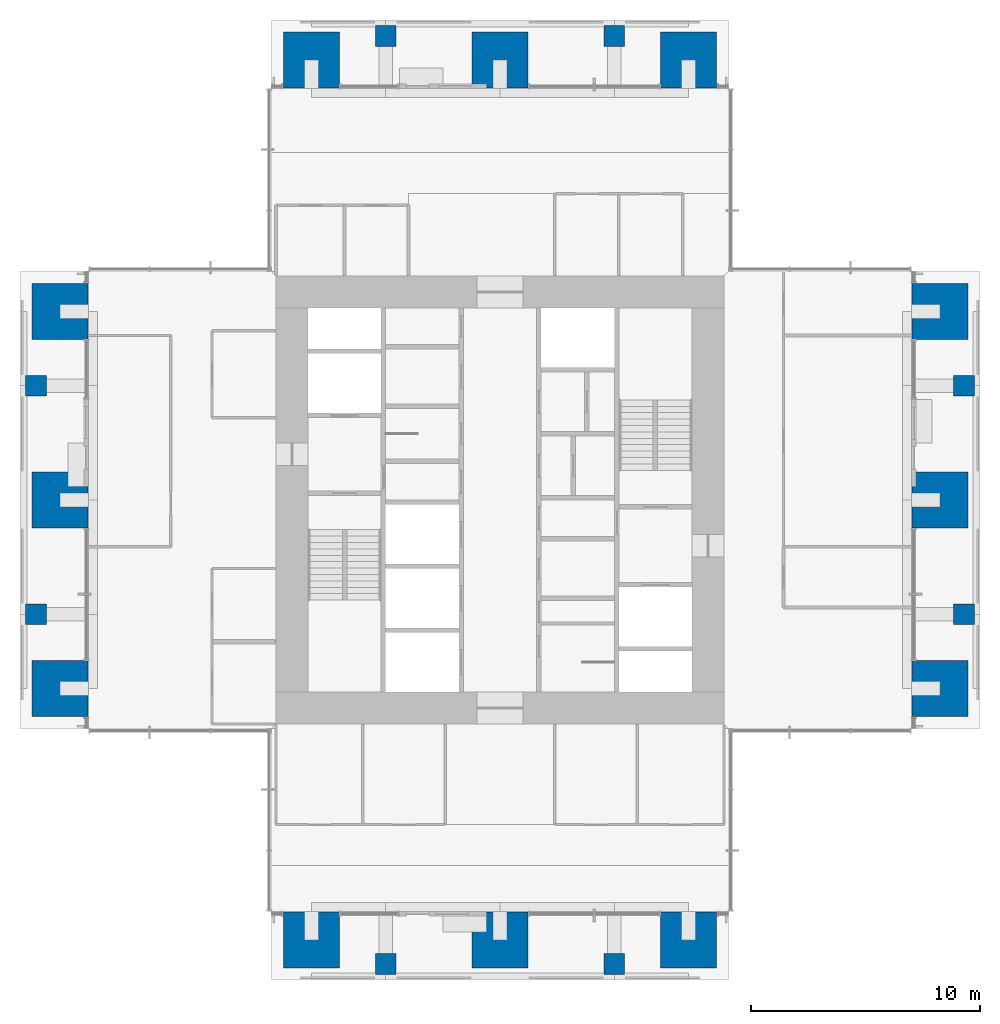
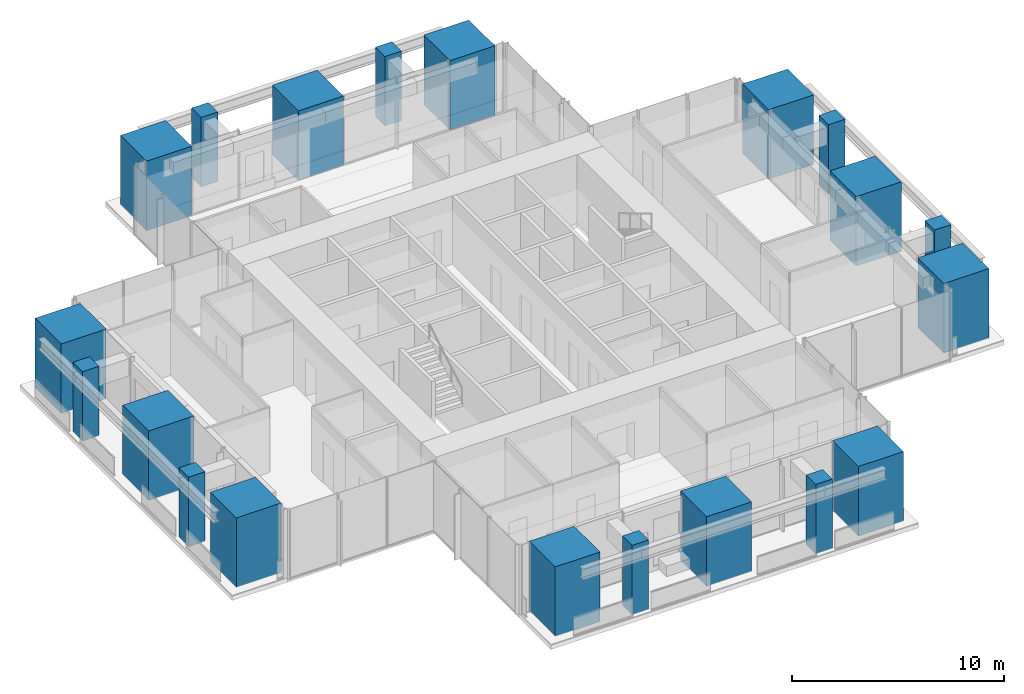
# One storey, part 1 of 17: 20 columns.
"""IFC4 building model written with IfcOpenShell, lengths in metres."""

from ifc_helpers import new_model, si_unit, direction, frame, origin, origin_2d, place, context, subcontext, project, spatial, rectangle, extrude, material, material_profile, profile_set, type_object, element, save


model = new_model("IFC4")

# Units and contexts
model_context = context("Model", 3, precision=1e-05, world=origin(), true_north=direction((0.0, 1.0)))
body_context = subcontext(model_context, "Body", "Model", "MODEL_VIEW")
ifc_project = project(units=[si_unit("LENGTHUNIT", "METRE"), si_unit("AREAUNIT", "SQUARE_METRE"), si_unit("VOLUMEUNIT", "CUBIC_METRE"), si_unit("PLANEANGLEUNIT", "RADIAN"), si_unit("MASSUNIT", "GRAM", prefix="KILO")], contexts=[model_context])

# Site, building, storey
site_placement = place(None, origin())
site = spatial("IfcSite", under=ifc_project, at=site_placement, CompositionType="ELEMENT")
building_placement = place(site_placement, origin())
building = spatial("IfcBuilding", under=site, at=building_placement, Name="Svetlomir Tower", CompositionType="ELEMENT")
storey_placement = place(building_placement, frame((0.0, 0.0, 206.5)))
storey = spatial("IfcBuildingStorey", under=building, at=storey_placement, Name="L49", CompositionType="ELEMENT", Elevation=206.5)

# Columns
ifc_material_1 = material(Name="Concrete C60/75", Category="concrete")
ifc_material_profile_1 = material_profile(ifc_material_1, rectangle(XDim=2.449951171875, YDim=2.449951171875, at=origin_2d()), Name="RC 2450x2450")
ifc_profile_set_1 = profile_set([ifc_material_profile_1], Name="Concrete C60/75")
column_type_1 = type_object("IfcColumnType", Name="COLUMN RC 2450x2450", PredefinedType="COLUMN", material=ifc_profile_set_1)
for number, where, z_axis, x_axis, name in (
    (1, (12.75, 1.75, 0.0), (0.0, 0.0, 1.0), (1.0, 0.0, 0.0), "Column 11/0 L49"),
    (2, (21.0, 1.75, 0.0), (0.0, 0.0, 1.0), (1.0, 0.0, 0.0), "Column 21/0 L49"),
    (3, (29.25, 1.75, 0.0), (0.0, 0.0, 1.0), (1.0, 0.0, 0.0), "Column 31/0 L49"),
    (4, (1.75, 12.75, 0.0), (0.0, 0.0, 1.0), (1.0, 0.0, 0.0), "Column 0/11 L49"),
    (5, (40.25, 12.75, 0.0), (0.0, 0.0, 1.0), (1.0, 0.0, 0.0), "Column 42/11 L49"),
    (6, (1.75, 21.0, 0.0), (0.0, 0.0, 1.0), (1.0, 0.0, 0.0), "Column 0/21 L49"),
    (7, (40.25, 21.0, 0.0), (0.0, 0.0, 1.0), (1.0, 0.0, 0.0), "Column 42/21 L49"),
    (8, (1.75, 29.25, 0.0), (0.0, 0.0, 1.0), (1.0, 0.0, 0.0), "Column 0/31 L49"),
    (9, (40.25, 29.25, 0.0), (0.0, 0.0, 1.0), (1.0, 0.0, 0.0), "Column 42/31 L49"),
    (10, (12.75, 40.25, 0.0), (0.0, 0.0, 1.0), (1.0, 0.0, 0.0), "Column 11/42 L49"),
    (11, (21.0, 40.25, 0.0), (0.0, 0.0, 1.0), (1.0, 0.0, 0.0), "Column 21/42 L49"),
    (12, (29.25, 40.25, 0.0), (0.0, 0.0, 1.0), (1.0, 0.0, 0.0), "Column 31/42 L49"),
):
    element("IfcColumn", number, at=place(storey_placement, frame(where, z_axis=z_axis, x_axis=x_axis)), inside=storey, type_object=column_type_1, Name=name, PredefinedType="COLUMN", context=body_context, shape_type="SweptSolid", body=[
        extrude(rectangle(XDim=2.449951171875, YDim=2.449951171875, at=origin_2d()), origin(), (0.0, 0.0, 1.0), 4.0),
    ])
ifc_material_2 = material(Name="Concrete C60/75", Category="concrete")
ifc_material_profile_2 = material_profile(ifc_material_2, rectangle(XDim=0.89990234375, YDim=0.89990234375, at=origin_2d()), Name="RC 900x900")
ifc_profile_set_2 = profile_set([ifc_material_profile_2], Name="Concrete C60/75")
column_type_2 = type_object("IfcColumnType", Name="COLUMN RC 900x900", PredefinedType="COLUMN", material=ifc_profile_set_2)
for number, where, z_axis, x_axis, name in (
    (13, (16.0, 0.699951171875, 0.0), (0.0, 0.0, 1.0), (1.0, 0.0, 0.0), "Column 16/0 L49"),
    (14, (26.0, 0.699951171875, 0.0), (0.0, 0.0, 1.0), (1.0, 0.0, 0.0), "Column 26/0 L49"),
    (15, (0.699951171875, 16.0, 0.0), (0.0, 0.0, 1.0), (1.0, 0.0, 0.0), "Column 0/16 L49"),
    (16, (41.300048828125, 16.0, 0.0), (0.0, 0.0, 1.0), (1.0, 0.0, 0.0), "Column 42/16 L49"),
    (17, (0.699951171875, 26.0, 0.0), (0.0, 0.0, 1.0), (1.0, 0.0, 0.0), "Column 0/26 L49"),
    (18, (41.300048828125, 26.0, 0.0), (0.0, 0.0, 1.0), (1.0, 0.0, 0.0), "Column 42/26 L49"),
    (19, (16.0, 41.300048828125, 0.0), (0.0, 0.0, 1.0), (1.0, 0.0, 0.0), "Column 16/42 L49"),
    (20, (26.0, 41.300048828125, 0.0), (0.0, 0.0, 1.0), (1.0, 0.0, 0.0), "Column 26/42 L49"),
):
    element("IfcColumn", number, at=place(storey_placement, frame(where, z_axis=z_axis, x_axis=x_axis)), inside=storey, type_object=column_type_2, Name=name, PredefinedType="COLUMN", context=body_context, shape_type="SweptSolid", body=[
        extrude(rectangle(XDim=0.89990234375, YDim=0.89990234375, at=origin_2d()), origin(), (0.0, 0.0, 1.0), 4.0),
    ])

save(model, "model.ifc")
